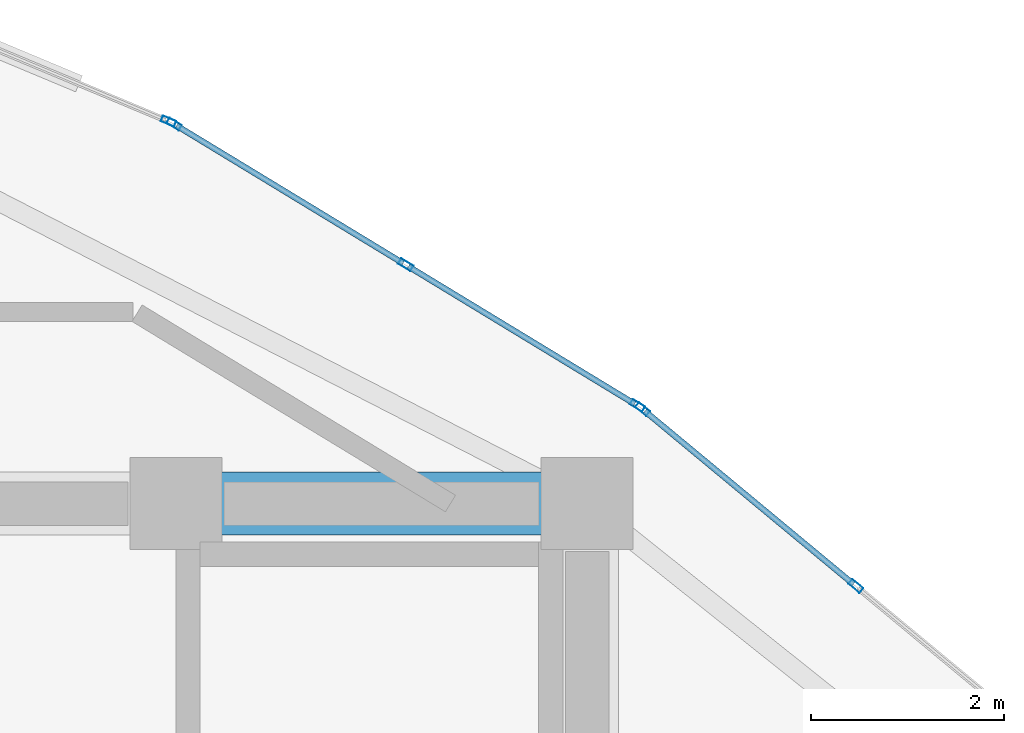
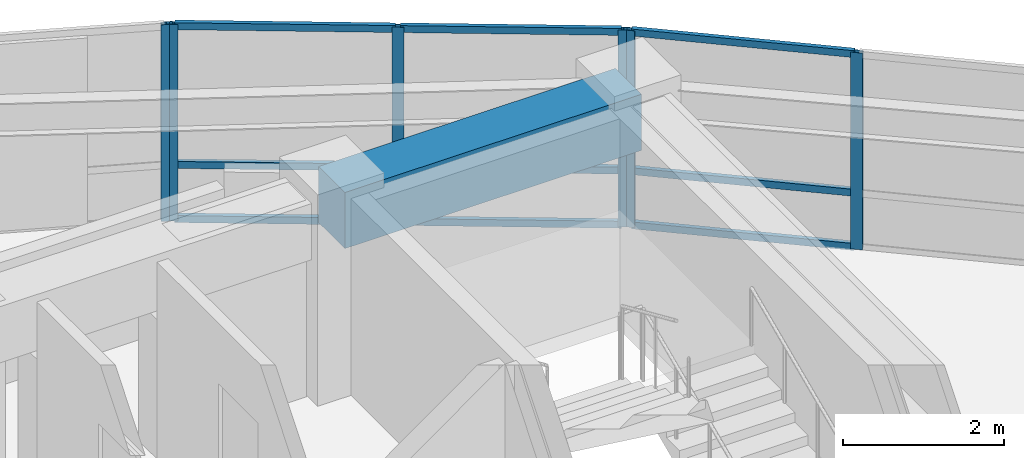
# One storey, part 10 of 14: 15 members, 1 beam, 3 elements without a shape of their own.
"""IFC4 building model written with IfcOpenShell, lengths in metres."""

from ifc_helpers import new_model, si_unit, direction, frame, origin, origin_2d, place, context, subcontext, project, spatial, rectangle, hollow_rectangle, extrude, material, layer, layer_set, material_profile, profile_set, type_object, element, aggregate, save


model = new_model("IFC4")

# Units and contexts
model_context = context("Model", 3, precision=1e-05, world=origin(), true_north=direction((0.0, 1.0)))
body_context = subcontext(model_context, "Body", "Model", "MODEL_VIEW")
ifc_project = project(units=[si_unit("LENGTHUNIT", "METRE"), si_unit("AREAUNIT", "SQUARE_METRE"), si_unit("VOLUMEUNIT", "CUBIC_METRE"), si_unit("PLANEANGLEUNIT", "RADIAN"), si_unit("MASSUNIT", "GRAM", prefix="KILO")], contexts=[model_context])

# Site, building, storey
site_placement = place(None, origin())
site = spatial("IfcSite", under=ifc_project, at=site_placement, CompositionType="ELEMENT")
building_placement = place(site_placement, origin())
building = spatial("IfcBuilding", under=site, at=building_placement, Name="Menara Vayukalpa", CompositionType="ELEMENT")
storey_placement = place(building_placement, frame((0.0, 0.0, 308.820068359375)))
storey = spatial("IfcBuildingStorey", under=building, at=storey_placement, Name="L79", CompositionType="ELEMENT", Elevation=308.820068359375)

# Beam
ifc_material_1 = material(Name="Concrete C60/75", Category="concrete")
ifc_material_profile_1 = material_profile(ifc_material_1, rectangle(XDim=0.64990234375, YDim=0.85009765625, at=origin_2d()), Name="RC 650x850")
ifc_profile_set_1 = profile_set([ifc_material_profile_1], Name="Concrete C60/75")
beam_type = type_object("IfcBeamType", Name="BM-CB1", PredefinedType="BEAM", material=ifc_profile_set_1)
beam_placement = place(storey_placement, frame((29.14990234375, 26.800048828125, 2.554931640625), z_axis=(1.0, 0.0, 0.0), x_axis=(0.0, 1.0, 0.0)))
element("IfcBeam", 1, at=beam_placement, inside=storey, type_object=beam_type, Name="L79 Core Tie Beam CBR6", PredefinedType="BEAM", context=body_context, shape_type="SweptSolid", body=[
    extrude(rectangle(XDim=0.64990234375, YDim=0.85009765625, at=origin_2d()), origin(), (0.0, 0.0, 1.0), 4.25),
])

# Curtain wall, members
ifc_material_2 = material(Name="Anodised Terracotta Aluminium Alloy 6063-T6", Category="masonry")
ifc_layer = layer(ifc_material_2, 0.14990234375)
ifc_layer_set = layer_set([ifc_layer], Name="Anodised Terracotta Aluminium Alloy 6063-T6")
curtain_wall_type = type_object("IfcCurtainWallType", Name="CW-CW7", PredefinedType="USERDEFINED", material=ifc_layer_set)
curtain_wall_1_placement = place(storey_placement, origin())
curtain_wall_1 = element("IfcCurtainWall", 2, at=curtain_wall_1_placement, inside=storey, type_object=curtain_wall_type, Name="L79 Crown Drum Screened Curtain Wall CW7 03", ObjectType="UNITISED", PredefinedType="USERDEFINED")
ifc_material_3 = material(Name="Anodised Terracotta Aluminium Alloy 6063-T6", Category="masonry")
ifc_material_profile_2 = material_profile(ifc_material_3, hollow_rectangle(XDim=0.06494140625, YDim=0.14990234375, WallThickness=0.00341796875, at=origin_2d()), Name="ALU 65x150x3.5")
ifc_profile_set_2 = profile_set([ifc_material_profile_2], Name="Anodised Terracotta Aluminium Alloy 6063-T6")
member_type_1 = type_object("IfcMemberType", Name="CWM-CW7", PredefinedType="MULLION", material=ifc_profile_set_2)
member_1_placement = place(storey_placement, frame((36.1796875, 25.946533203125, 0.0), z_axis=(0.0, 0.0, 1.0), x_axis=(-0.63834658997, -0.7697490702, 0.0)))
member_1 = element("IfcMember", 3, at=member_1_placement, type_object=member_type_1, Name="CW7 mullion 2", PredefinedType="MULLION", context=body_context, shape_type="SweptSolid", body=[
    extrude(hollow_rectangle(XDim=0.06494140625, YDim=0.14990234375, WallThickness=0.00341796875, at=origin_2d()), origin(), (0.0, 0.0, 1.0), 2.97998046875),
])
member_2_placement = place(storey_placement, frame((33.9736328125, 27.776123046875, 0.0), z_axis=(0.0, 0.0, 1.0), x_axis=(-0.63834658997, -0.7697490702, 0.0)))
member_2 = element("IfcMember", 4, at=member_2_placement, type_object=member_type_1, Name="CW7 mullion 3", PredefinedType="MULLION", context=body_context, shape_type="SweptSolid", body=[
    extrude(hollow_rectangle(XDim=0.06494140625, YDim=0.14990234375, WallThickness=0.00341796875, at=origin_2d()), origin(), (0.0, 0.0, 1.0), 2.97998046875),
])

curtain_wall_2_placement = place(storey_placement, origin())
curtain_wall_2 = element("IfcCurtainWall", 5, at=curtain_wall_2_placement, inside=storey, type_object=curtain_wall_type, Name="L79 Crown Drum Screened Curtain Wall CW7 04", ObjectType="UNITISED", PredefinedType="USERDEFINED")
member_3_placement = place(storey_placement, frame((33.9208984375, 27.813720703125, 0.0), z_axis=(0.0, 0.0, 1.0), x_axis=(-0.519176441176, -0.854667083096, 0.0)))
member_3 = element("IfcMember", 6, at=member_3_placement, type_object=member_type_1, Name="CW7 mullion 1", PredefinedType="MULLION", context=body_context, shape_type="SweptSolid", body=[
    extrude(hollow_rectangle(XDim=0.06494140625, YDim=0.14990234375, WallThickness=0.00341796875, at=origin_2d()), origin(), (0.0, 0.0, 1.0), 2.97998046875),
])
member_4_placement = place(storey_placement, frame((31.525146484375, 29.26904296875, 0.0), z_axis=(0.0, 0.0, 1.0), x_axis=(-0.519176441176, -0.854667083096, 0.0)))
member_4 = element("IfcMember", 7, at=member_4_placement, type_object=member_type_1, Name="CW7 mullion 2", PredefinedType="MULLION", context=body_context, shape_type="SweptSolid", body=[
    extrude(hollow_rectangle(XDim=0.06494140625, YDim=0.14990234375, WallThickness=0.00341796875, at=origin_2d()), origin(), (0.0, 0.0, 1.0), 2.97998046875),
])
member_5_placement = place(storey_placement, frame((29.129638671875, 30.72412109375, 0.0), z_axis=(0.0, 0.0, 1.0), x_axis=(-0.519176441176, -0.854667083096, 0.0)))
member_5 = element("IfcMember", 8, at=member_5_placement, type_object=member_type_1, Name="CW7 mullion 3", PredefinedType="MULLION", context=body_context, shape_type="SweptSolid", body=[
    extrude(hollow_rectangle(XDim=0.06494140625, YDim=0.14990234375, WallThickness=0.00341796875, at=origin_2d()), origin(), (0.0, 0.0, 1.0), 2.97998046875),
])

# Curtain wall, member
curtain_wall_3_placement = place(storey_placement, origin())
curtain_wall_3 = element("IfcCurtainWall", 9, at=curtain_wall_3_placement, inside=storey, type_object=curtain_wall_type, Name="L79 Crown Drum Screened Curtain Wall CW7 05", ObjectType="UNITISED", PredefinedType="USERDEFINED")
member_6_placement = place(storey_placement, frame((29.07177734375, 30.753662109375, 0.0), z_axis=(0.0, 0.0, 1.0), x_axis=(-0.385898361946, -0.922541302191, 0.0)))
member_6 = element("IfcMember", 10, at=member_6_placement, type_object=member_type_1, Name="CW7 mullion 1", PredefinedType="MULLION", context=body_context, shape_type="SweptSolid", body=[
    extrude(hollow_rectangle(XDim=0.06494140625, YDim=0.14990234375, WallThickness=0.00341796875, at=origin_2d()), origin(), (0.0, 0.0, 1.0), 2.97998046875),
])
aggregate(curtain_wall_3, [member_6])

# Member
ifc_material_4 = material(Name="Anodised Terracotta Aluminium Alloy 6063-T6", Category="masonry")
ifc_material_profile_3 = material_profile(ifc_material_4, hollow_rectangle(XDim=0.06005859375, YDim=0.10498046875, WallThickness=0.0029296875, at=origin_2d()), Name="ALU 60x105x3")
ifc_profile_set_3 = profile_set([ifc_material_profile_3], Name="Anodised Terracotta Aluminium Alloy 6063-T6")
member_type_2 = type_object("IfcMemberType", Name="CWT-CW7", PredefinedType="USERDEFINED", material=ifc_profile_set_3)
member_7_placement = place(storey_placement, frame((36.15478515625, 25.96728515625, 0.030029296875), z_axis=(-0.769726621741, 0.638373658434, 0.0), x_axis=(-0.638373658434, -0.769726621741, 0.0)))
member_7 = element("IfcMember", 11, at=member_7_placement, type_object=member_type_2, Name="CW7 transom 2.1", ObjectType="TRANSOM", PredefinedType="USERDEFINED", context=body_context, shape_type="SweptSolid", body=[
    extrude(hollow_rectangle(XDim=0.06005859375, YDim=0.10498046875, WallThickness=0.0029296875, at=origin_2d()), origin(), (0.0, 0.0, 1.0), 2.801025390625),
])

member_8_placement = place(storey_placement, frame((36.15478515625, 25.96728515625, 0.849853515625), z_axis=(-0.769726621741, 0.638373658434, 0.0), x_axis=(-0.638373658434, -0.769726621741, 0.0)))
member_8 = element("IfcMember", 12, at=member_8_placement, type_object=member_type_2, Name="CW7 transom 2.2", ObjectType="TRANSOM", PredefinedType="USERDEFINED", context=body_context, shape_type="SweptSolid", body=[
    extrude(hollow_rectangle(XDim=0.06005859375, YDim=0.10498046875, WallThickness=0.0029296875, at=origin_2d()), origin(), (0.0, 0.0, 1.0), 2.801025390625),
])

member_9_placement = place(storey_placement, frame((36.15478515625, 25.96728515625, 2.949951171875), z_axis=(-0.769726621741, 0.638373658434, 0.0), x_axis=(-0.638373658434, -0.769726621741, 0.0)))
member_9 = element("IfcMember", 13, at=member_9_placement, type_object=member_type_2, Name="CW7 transom 2.3", ObjectType="TRANSOM", PredefinedType="USERDEFINED", context=body_context, shape_type="SweptSolid", body=[
    extrude(hollow_rectangle(XDim=0.06005859375, YDim=0.10498046875, WallThickness=0.0029296875, at=origin_2d()), origin(), (0.0, 0.0, 1.0), 2.801025390625),
])

aggregate(curtain_wall_1, [member_1, member_2, member_7, member_8, member_9])

member_10_placement = place(storey_placement, frame((33.89306640625, 27.83056640625, 0.030029296875), z_axis=(-0.854647628743, 0.519208465537, 0.0), x_axis=(-0.519208465537, -0.854647628743, 0.0)))
member_10 = element("IfcMember", 14, at=member_10_placement, type_object=member_type_2, Name="CW7 transom 1.1", ObjectType="TRANSOM", PredefinedType="USERDEFINED", context=body_context, shape_type="SweptSolid", body=[
    extrude(hollow_rectangle(XDim=0.06005859375, YDim=0.10498046875, WallThickness=0.0029296875, at=origin_2d()), origin(), (0.0, 0.0, 1.0), 2.738037109375),
])

member_11_placement = place(storey_placement, frame((33.89306640625, 27.83056640625, 0.849853515625), z_axis=(-0.854647628743, 0.519208465537, 0.0), x_axis=(-0.519208465537, -0.854647628743, 0.0)))
member_11 = element("IfcMember", 15, at=member_11_placement, type_object=member_type_2, Name="CW7 transom 1.2", ObjectType="TRANSOM", PredefinedType="USERDEFINED", context=body_context, shape_type="SweptSolid", body=[
    extrude(hollow_rectangle(XDim=0.06005859375, YDim=0.10498046875, WallThickness=0.0029296875, at=origin_2d()), origin(), (0.0, 0.0, 1.0), 2.738037109375),
])

member_12_placement = place(storey_placement, frame((33.89306640625, 27.83056640625, 2.949951171875), z_axis=(-0.854647628743, 0.519208465537, 0.0), x_axis=(-0.519208465537, -0.854647628743, 0.0)))
member_12 = element("IfcMember", 16, at=member_12_placement, type_object=member_type_2, Name="CW7 transom 1.3", ObjectType="TRANSOM", PredefinedType="USERDEFINED", context=body_context, shape_type="SweptSolid", body=[
    extrude(hollow_rectangle(XDim=0.06005859375, YDim=0.10498046875, WallThickness=0.0029296875, at=origin_2d()), origin(), (0.0, 0.0, 1.0), 2.738037109375),
])

member_13_placement = place(storey_placement, frame((31.49755859375, 29.285888671875, 0.030029296875), z_axis=(-0.854687194246, 0.519143332801, 0.0), x_axis=(-0.519143332801, -0.854687194246, 0.0)))
member_13 = element("IfcMember", 17, at=member_13_placement, type_object=member_type_2, Name="CW7 transom 2.1", ObjectType="TRANSOM", PredefinedType="USERDEFINED", context=body_context, shape_type="SweptSolid", body=[
    extrude(hollow_rectangle(XDim=0.06005859375, YDim=0.10498046875, WallThickness=0.0029296875, at=origin_2d()), origin(), (0.0, 0.0, 1.0), 2.738037109375),
])

member_14_placement = place(storey_placement, frame((31.49755859375, 29.285888671875, 0.849853515625), z_axis=(-0.854687194246, 0.519143332801, 0.0), x_axis=(-0.519143332801, -0.854687194246, 0.0)))
member_14 = element("IfcMember", 18, at=member_14_placement, type_object=member_type_2, Name="CW7 transom 2.2", ObjectType="TRANSOM", PredefinedType="USERDEFINED", context=body_context, shape_type="SweptSolid", body=[
    extrude(hollow_rectangle(XDim=0.06005859375, YDim=0.10498046875, WallThickness=0.0029296875, at=origin_2d()), origin(), (0.0, 0.0, 1.0), 2.738037109375),
])

member_15_placement = place(storey_placement, frame((31.49755859375, 29.285888671875, 2.949951171875), z_axis=(-0.854687194246, 0.519143332801, 0.0), x_axis=(-0.519143332801, -0.854687194246, 0.0)))
member_15 = element("IfcMember", 19, at=member_15_placement, type_object=member_type_2, Name="CW7 transom 2.3", ObjectType="TRANSOM", PredefinedType="USERDEFINED", context=body_context, shape_type="SweptSolid", body=[
    extrude(hollow_rectangle(XDim=0.06005859375, YDim=0.10498046875, WallThickness=0.0029296875, at=origin_2d()), origin(), (0.0, 0.0, 1.0), 2.738037109375),
])

aggregate(curtain_wall_2, [member_3, member_4, member_5, member_10, member_11, member_12, member_13, member_14, member_15])

save(model, "model.ifc")
